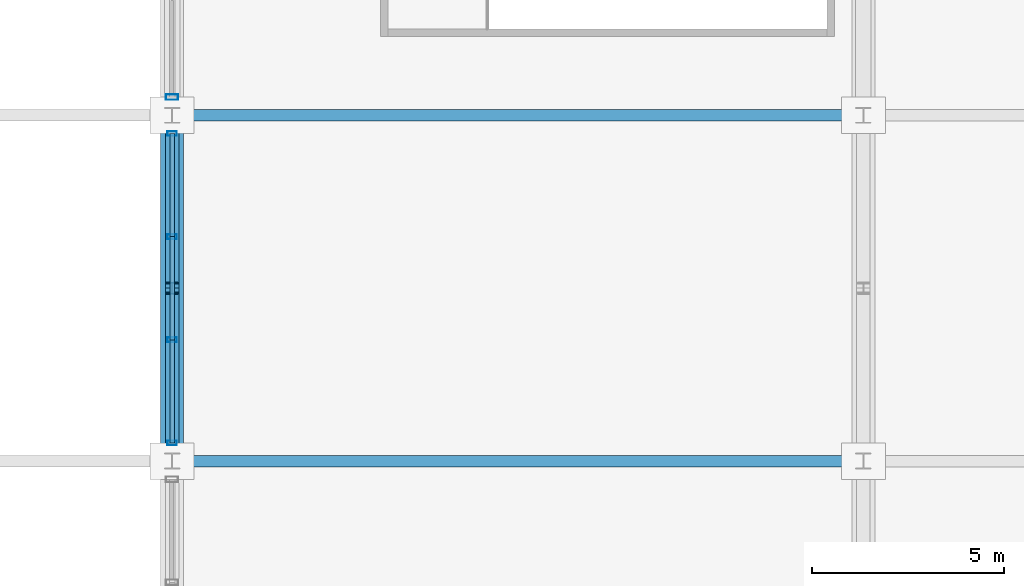
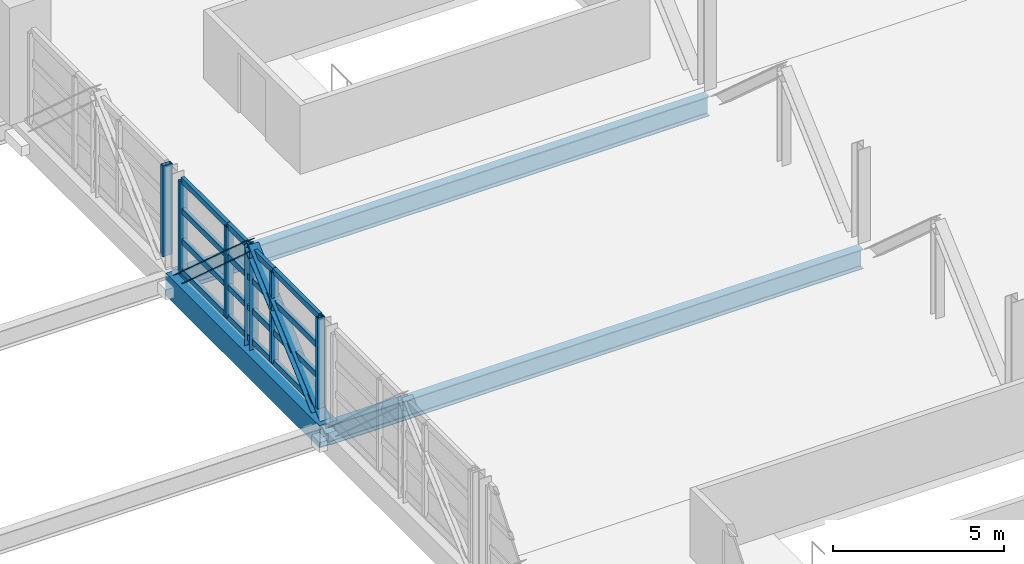
# One storey, part 27 of 136: 20 members, 3 beams, 2 elements without a shape of their own.
"""IFC4 building model written with IfcOpenShell, lengths in metres."""

import ifcopenshell
import ifcopenshell.guid

model = None  # the IFC model being written
_history = None  # IfcOwnerHistory: only IFC2X3 demands one
_inside = {}  # id of a spatial element -> (the spatial element, [elements in it])
_under = {}  # id of a project, library or spatial element -> (it, [spatial elements below it])
_declared = {}  # id of a project -> (the project, [libraries it declares])
_typed = {}  # id of a type object -> (the type object, [elements of that type])
_made_of = {}  # id of a material, layer set ... -> (it, [elements and type objects made of it])


def new_model(schema):
    """Start an empty IFC model of exactly this schema.

    Asked for "IFC4X3", IfcOpenShell would pick the latest addendum, in which some entities
    have other attributes; the version numbers below select the first issue.
    IFC2X3 requires an IfcOwnerHistory on every rooted entity: one is made here for all.
    """
    global model, _history
    if schema == "IFC4X3":
        model = ifcopenshell.file(schema_version=(4, 3, 0, 0))
    else:
        model = ifcopenshell.file(schema=schema)
    _inside.clear()
    _under.clear()
    _declared.clear()
    _typed.clear()
    _made_of.clear()
    _history = None
    if model.schema == "IFC2X3":
        org = make("IfcOrganization", Name="unknown")
        user = make(
            "IfcPersonAndOrganization",
            ThePerson=make("IfcPerson", FamilyName="unknown"),
            TheOrganization=org,
        )
        app = make(
            "IfcApplication",
            ApplicationDeveloper=org,
            Version="unknown",
            ApplicationFullName="unknown",
            ApplicationIdentifier="unknown",
        )
        _history = make(
            "IfcOwnerHistory",
            OwningUser=user,
            OwningApplication=app,
            ChangeAction="ADDED",
            CreationDate=0,
        )
    return model


def make(cls, **values):
    """One entity of the class cls with the attributes given. An attribute that is None is left unset."""
    return model.create_entity(
        cls, **{name: value for name, value in values.items() if value is not None}
    )


def rooted(cls, **values):
    """An entity with a GlobalId (a new one), such as an element, a storey or a relation."""
    return make(cls, GlobalId=ifcopenshell.guid.new(), OwnerHistory=_history, **values)


def si_unit(unit_type, name, prefix=None):
    """IfcSIUnit, for example si_unit("LENGTHUNIT", "METRE", prefix="MILLI")."""
    return make("IfcSIUnit", UnitType=unit_type, Prefix=prefix, Name=name)


def assignment(units):
    """IfcUnitAssignment: the units of a project."""
    return None if units is None else make("IfcUnitAssignment", Units=units)


def point(xyz):
    """IfcCartesianPoint."""
    return None if xyz is None else make("IfcCartesianPoint", Coordinates=xyz)


def direction(xyz):
    """IfcDirection."""
    return None if xyz is None else make("IfcDirection", DirectionRatios=xyz)


def frame(location, z_axis=None, x_axis=None):
    """IfcAxis2Placement3D, a coordinate frame: its origin and axes. An axis left out is left unset."""
    return make(
        "IfcAxis2Placement3D",
        Location=point(location),
        Axis=direction(z_axis),
        RefDirection=direction(x_axis),
    )


def frame_2d(location, x_axis=None):
    """IfcAxis2Placement2D, a coordinate frame in the plane: its origin and x axis."""
    return make(
        "IfcAxis2Placement2D", Location=point(location), RefDirection=direction(x_axis)
    )


def origin():
    """The frame at (0, 0, 0) with its axes left unset."""
    return frame((0.0, 0.0, 0.0))


def origin_2d():
    """The frame at (0, 0) in the plane with its x axis left unset."""
    return frame_2d((0.0, 0.0))


def place(relative_to, where):
    """IfcLocalPlacement: puts the frame where relative to a parent placement (None: the world)."""
    return make(
        "IfcLocalPlacement", PlacementRelTo=relative_to, RelativePlacement=where
    )


def context(
    kind, dimensions, precision=None, world=None, true_north=None, identifier=None
):
    """IfcGeometricRepresentationContext, for example the 3D "Model" context."""
    return make(
        "IfcGeometricRepresentationContext",
        ContextIdentifier=identifier,
        ContextType=kind,
        CoordinateSpaceDimension=dimensions,
        Precision=precision,
        WorldCoordinateSystem=world,
        TrueNorth=true_north,
    )


def subcontext(parent, identifier, kind, view, scale=None):
    """IfcGeometricRepresentationSubContext, for example "Body" below "Model"."""
    return make(
        "IfcGeometricRepresentationSubContext",
        ContextIdentifier=identifier,
        ContextType=kind,
        ParentContext=parent,
        TargetScale=scale,
        TargetView=view,
    )


def project(units=None, contexts=None):
    """IfcProject with its units and contexts."""
    return rooted(
        "IfcProject",
        Name="project",
        RepresentationContexts=contexts,
        UnitsInContext=assignment(units),
    )


def spatial(cls, under=None, at=None, **own):
    """A site, building, storey or space (cls), placed at a placement, below another one or the project."""
    s = rooted(cls, ObjectPlacement=at, **own)
    if under is not None:
        _under.setdefault(under.id(), (under, []))[1].append(s)
    return s


def profile(cls, at=None, kind="AREA", **sizes):
    """A parametric profile (cls). Its sizes go by their IFC names, for example OverallWidth=200.0."""
    return make(cls, ProfileType=kind, Position=at, **sizes)


def hollow_rectangle(**sizes):
    """IfcRectangleHollowProfileDef."""
    return profile("IfcRectangleHollowProfileDef", **sizes)


def i_section(**sizes):
    """IfcIShapeProfileDef."""
    return profile("IfcIShapeProfileDef", **sizes)


def extrude(swept, where, along, depth):
    """IfcExtrudedAreaSolid: the profile swept, set in the frame where, extruded along a direction by depth."""
    return make(
        "IfcExtrudedAreaSolid",
        SweptArea=swept,
        Position=where,
        ExtrudedDirection=direction(along),
        Depth=depth,
    )


def shape(context_of_items, identifier, shape_type, items):
    """IfcShapeRepresentation: the items that make up one representation, for example the "Body"."""
    return make(
        "IfcShapeRepresentation",
        ContextOfItems=context_of_items,
        RepresentationIdentifier=identifier,
        RepresentationType=shape_type,
        Items=items,
    )


def material(Name=None, Category=None):
    """IfcMaterial."""
    return make("IfcMaterial", Name=Name, Category=Category)


def material_profile(
    of_material, cross_section, Name=None, Category=None, Priority=None
):
    """IfcMaterialProfile: a cross section and its material."""
    return make(
        "IfcMaterialProfile",
        Name=Name,
        Material=of_material,
        Profile=cross_section,
        Priority=Priority,
        Category=Category,
    )


def profile_set(profiles, Name=None, composite=None):
    """IfcMaterialProfileSet."""
    return make(
        "IfcMaterialProfileSet",
        Name=Name,
        MaterialProfiles=profiles,
        CompositeProfile=composite,
    )


def made_of(thing, what):
    """Note that an element or type object is made of a material, layer set ...; save() writes the relation."""
    if what is not None:
        _made_of.setdefault(what.id(), (what, []))[1].append(thing)
    return thing


def type_object(cls, material=None, **own):
    """A type object (cls), such as IfcWallType, which elements share."""
    return made_of(rooted(cls, **own), material)


def element(
    cls,
    number,
    at=None,
    inside=None,
    cuts=None,
    type_object=None,
    material=None,
    context=None,
    identifier="Body",
    shape_type=None,
    held_by="IfcProductDefinitionShape",
    body=None,
    shapes=None,
    **own,
):
    """One element of the class cls, such as IfcWall. Its Tag is "e" and its number.

    at: its placement. inside: the storey or other place that contains it. cuts: it is an
    opening in that element (IfcRelVoidsElement). A single representation is given by context,
    identifier, shape_type and body (its items); several are given by shapes. held_by: the class
    of the entity that holds the representations. save() writes the other relations.
    """
    e = rooted(cls, Tag="e%d" % number, ObjectPlacement=at, **own)
    if body is not None:
        shapes = [shape(context, identifier, shape_type, body)]
    if shapes is not None:
        e.Representation = make(held_by, Representations=shapes)
    if inside is not None:
        _inside.setdefault(inside.id(), (inside, []))[1].append(e)
    if cuts is not None:
        rooted(
            "IfcRelVoidsElement", RelatingBuildingElement=cuts, RelatedOpeningElement=e
        )
    if type_object is not None:
        _typed.setdefault(type_object.id(), (type_object, []))[1].append(e)
    return made_of(e, material)


def aggregate(whole, parts):
    """IfcRelAggregates: a whole, such as a stair, and the parts it consists of."""
    return rooted("IfcRelAggregates", RelatingObject=whole, RelatedObjects=parts)


def save(model, path):
    """Write the relations noted so far, then the file.

    IfcRelAggregates (storeys below a building ...), IfcRelContainedInSpatialStructure (elements
    in a storey), IfcRelDefinesByType, IfcRelAssociatesMaterial and IfcRelDeclares: one each for
    every whole, place, type object, material and project.
    """
    for whole, parts in _under.values():
        aggregate(whole, parts)
    for where, things in _inside.values():
        rooted(
            "IfcRelContainedInSpatialStructure",
            RelatedElements=things,
            RelatingStructure=where,
        )
    for kind, things in _typed.values():
        rooted("IfcRelDefinesByType", RelatedObjects=things, RelatingType=kind)
    for what, things in _made_of.values():
        rooted("IfcRelAssociatesMaterial", RelatedObjects=things, RelatingMaterial=what)
    for by, libraries in _declared.values():
        rooted("IfcRelDeclares", RelatingContext=by, RelatedDefinitions=libraries)
    model.write(path)


model = new_model("IFC4")

# Units and contexts
model_context = context("Model", 3, precision=1e-05, world=origin(), true_north=direction((0.0, 1.0)))
body_context = subcontext(model_context, "Body", "Model", "MODEL_VIEW")
ifc_project = project(units=[si_unit("LENGTHUNIT", "METRE"), si_unit("AREAUNIT", "SQUARE_METRE"), si_unit("VOLUMEUNIT", "CUBIC_METRE"), si_unit("PLANEANGLEUNIT", "RADIAN"), si_unit("MASSUNIT", "GRAM", prefix="KILO")], contexts=[model_context])

# Site, building, storey
site_placement = place(None, origin())
site = spatial("IfcSite", under=ifc_project, at=site_placement, CompositionType="ELEMENT")
building_placement = place(site_placement, origin())
building = spatial("IfcBuilding", under=site, at=building_placement, Name="Chuanluo Vaults Station", CompositionType="ELEMENT")
storey_placement = place(building_placement, frame((0.0, 0.0, 6.60009765625)))
storey = spatial("IfcBuildingStorey", under=building, at=storey_placement, Name="L01", CompositionType="ELEMENT", Elevation=6.60009765625)

# Beams
ifc_material_1 = material(Name="Steel Q355C", Category="steel")
ifc_material_profile_1 = material_profile(ifc_material_1, i_section(OverallWidth=0.300048828125, OverallDepth=0.699951171875, WebThickness=0.012939453125, FlangeThickness=0.02392578125, FilletRadius=0.02197265625, at=origin_2d()))
ifc_profile_set_1 = profile_set([ifc_material_profile_1], Name="Steel Q355C")
beam_type_1 = type_object("IfcBeamType", Name="BM-GRD-700", PredefinedType="USERDEFINED", material=ifc_profile_set_1)
for number, where, z_axis, x_axis, name in (
    (1, (18.0, 85.5, -0.630126953125), (1.0, 0.0, 0.0), (0.0, 1.0, 0.0), "Over-track concourse floor girder 2-85"),
    (2, (18.0, 94.5, -0.630126953125), (1.0, 0.0, 0.0), (0.0, 1.0, 0.0), "Over-track concourse floor girder 2-94"),
):
    element("IfcBeam", number, at=place(storey_placement, frame(where, z_axis=z_axis, x_axis=x_axis)), inside=storey, type_object=beam_type_1, Name=name, ObjectType="GIRDER", PredefinedType="USERDEFINED", context=body_context, shape_type="SweptSolid", body=[
        extrude(i_section(OverallWidth=0.300048828125, OverallDepth=0.699951171875, WebThickness=0.012939453125, FlangeThickness=0.02392578125, FilletRadius=0.02197265625, at=origin_2d()), origin(), (0.0, 0.0, 1.0), 18.0),
    ])
ifc_material_2 = material(Name="Steel Q390C", Category="steel")
ifc_material_profile_2 = material_profile(ifc_material_2, hollow_rectangle(XDim=0.60009765625, YDim=0.800048828125, WallThickness=0.031982421875, at=origin_2d()))
ifc_profile_set_2 = profile_set([ifc_material_profile_2], Name="Steel Q390C")
beam_type_2 = type_object("IfcBeamType", Name="BM-TT-BOT", PredefinedType="USERDEFINED", material=ifc_profile_set_2)
beam_placement = place(storey_placement, frame((18.0, 85.5, -0.68017578125), z_axis=(0.0, 1.0, 0.0), x_axis=(-1.0, 0.0, 0.0)))
element("IfcBeam", 3, at=beam_placement, inside=storey, type_object=beam_type_2, Name="Transfer truss TT-2 bottom chord 3", ObjectType="GIRDER", PredefinedType="USERDEFINED", context=body_context, shape_type="SweptSolid", body=[
    extrude(hollow_rectangle(XDim=0.60009765625, YDim=0.800048828125, WallThickness=0.031982421875, at=origin_2d()), origin(), (0.0, 0.0, 1.0), 9.0),
])

# Curtain wall, members
ifc_material_3 = material(Name="Anodised aluminium 6063-T6", Category="aluminium")
curtain_wall_type_1 = type_object("IfcCurtainWallType", Name="CW-SYS-27", PredefinedType="NOTDEFINED", material=ifc_material_3)
curtain_wall_1_placement = place(storey_placement, origin())
curtain_wall_1 = element("IfcCurtainWall", 4, at=curtain_wall_1_placement, inside=storey, type_object=curtain_wall_type_1, Name="Over-track west hall CW 85", PredefinedType="NOTDEFINED")
ifc_material_4 = material(Name="Anodised aluminium 6063-T6", Category="aluminium")
ifc_material_profile_3 = material_profile(ifc_material_4, hollow_rectangle(XDim=0.1201171875, YDim=0.25, WallThickness=0.006103515625, at=origin_2d()))
ifc_profile_set_3 = profile_set([ifc_material_profile_3], Name="Anodised aluminium 6063-T6")
member_type_1 = type_object("IfcMemberType", Name="CWM-160", PredefinedType="MULLION", material=ifc_profile_set_3)
member_1_placement = place(storey_placement, frame((18.0, 85.97509765625, 0.0), z_axis=(0.0, 0.0, 1.0), x_axis=(0.0, 1.0, 0.0)))
member_1 = element("IfcMember", 5, at=member_1_placement, type_object=member_type_1, Name="Over-track west hall CW 85 mullion 1", PredefinedType="MULLION", context=body_context, shape_type="SweptSolid", body=[
    extrude(hollow_rectangle(XDim=0.1201171875, YDim=0.25, WallThickness=0.006103515625, at=origin_2d()), origin(), (0.0, 0.0, 1.0), 3.25),
])
member_2_placement = place(storey_placement, frame((18.0, 88.658203125, 0.0), z_axis=(0.0, 0.0, 1.0), x_axis=(0.0, 1.0, 0.0)))
member_2 = element("IfcMember", 6, at=member_2_placement, type_object=member_type_1, Name="Over-track west hall CW 85 mullion 2", PredefinedType="MULLION", context=body_context, shape_type="SweptSolid", body=[
    extrude(hollow_rectangle(XDim=0.1201171875, YDim=0.25, WallThickness=0.006103515625, at=origin_2d()), origin(), (0.0, 0.0, 1.0), 3.25),
])
member_3_placement = place(storey_placement, frame((18.0, 91.341796875, 0.0), z_axis=(0.0, 0.0, 1.0), x_axis=(0.0, 1.0, 0.0)))
member_3 = element("IfcMember", 7, at=member_3_placement, type_object=member_type_1, Name="Over-track west hall CW 85 mullion 3", PredefinedType="MULLION", context=body_context, shape_type="SweptSolid", body=[
    extrude(hollow_rectangle(XDim=0.1201171875, YDim=0.25, WallThickness=0.006103515625, at=origin_2d()), origin(), (0.0, 0.0, 1.0), 3.25),
])
member_4_placement = place(storey_placement, frame((18.0, 94.02490234375, 0.0), z_axis=(0.0, 0.0, 1.0), x_axis=(0.0, 1.0, 0.0)))
member_4 = element("IfcMember", 8, at=member_4_placement, type_object=member_type_1, Name="Over-track west hall CW 85 mullion 4", PredefinedType="MULLION", context=body_context, shape_type="SweptSolid", body=[
    extrude(hollow_rectangle(XDim=0.1201171875, YDim=0.25, WallThickness=0.006103515625, at=origin_2d()), origin(), (0.0, 0.0, 1.0), 3.25),
])

# Curtain wall, member
ifc_material_5 = material(Name="Anodised aluminium 6063-T6", Category="aluminium")
curtain_wall_type_2 = type_object("IfcCurtainWallType", Name="CW-SYS-01", PredefinedType="NOTDEFINED", material=ifc_material_5)
curtain_wall_2_placement = place(storey_placement, origin())
curtain_wall_2 = element("IfcCurtainWall", 9, at=curtain_wall_2_placement, inside=storey, type_object=curtain_wall_type_2, Name="Over-track west hall CW 94", PredefinedType="NOTDEFINED")
ifc_material_6 = material(Name="Anodised aluminium 6063-T6", Category="aluminium")
ifc_material_profile_4 = material_profile(ifc_material_6, hollow_rectangle(XDim=0.139892578125, YDim=0.320068359375, WallThickness=0.008056640625, at=origin_2d()))
ifc_profile_set_4 = profile_set([ifc_material_profile_4], Name="Anodised aluminium 6063-T6")
member_type_2 = type_object("IfcMemberType", Name="CWM-220", PredefinedType="MULLION", material=ifc_profile_set_4)
member_5_placement = place(storey_placement, frame((18.0, 94.97509765625, 0.0), z_axis=(0.0, 0.0, 1.0), x_axis=(0.0, 1.0, 0.0)))
member_5 = element("IfcMember", 10, at=member_5_placement, type_object=member_type_2, Name="Over-track west hall CW 94 mullion 1", PredefinedType="MULLION", context=body_context, shape_type="SweptSolid", body=[
    extrude(hollow_rectangle(XDim=0.139892578125, YDim=0.320068359375, WallThickness=0.008056640625, at=origin_2d()), origin(), (0.0, 0.0, 1.0), 3.25),
])
aggregate(curtain_wall_2, [member_5])

# Member
ifc_material_7 = material(Name="Anodised aluminium 6063-T6", Category="aluminium")
ifc_material_profile_5 = material_profile(ifc_material_7, hollow_rectangle(XDim=0.1201171875, YDim=0.205078125, WallThickness=0.006103515625, at=origin_2d()))
ifc_profile_set_5 = profile_set([ifc_material_profile_5], Name="Anodised aluminium 6063-T6")
member_type_3 = type_object("IfcMemberType", Name="CWT-130", PredefinedType="USERDEFINED", material=ifc_profile_set_5)
member_6_placement = place(storey_placement, frame((18.0, 85.97509765625, 0.0), z_axis=(0.0, 1.0, 0.0), x_axis=(-1.0, 0.0, 0.0)))
member_6 = element("IfcMember", 11, at=member_6_placement, type_object=member_type_3, Name="Over-track west hall CW 85 transom 1.1", ObjectType="TRANSOM", PredefinedType="USERDEFINED", context=body_context, shape_type="SweptSolid", body=[
    extrude(hollow_rectangle(XDim=0.1201171875, YDim=0.205078125, WallThickness=0.006103515625, at=origin_2d()), origin(), (0.0, 0.0, 1.0), 2.68310546875),
])

member_7_placement = place(storey_placement, frame((18.0, 85.97509765625, 1.083251953125), z_axis=(0.0, 1.0, 0.0), x_axis=(-1.0, 0.0, 0.0)))
member_7 = element("IfcMember", 12, at=member_7_placement, type_object=member_type_3, Name="Over-track west hall CW 85 transom 1.2", ObjectType="TRANSOM", PredefinedType="USERDEFINED", context=body_context, shape_type="SweptSolid", body=[
    extrude(hollow_rectangle(XDim=0.1201171875, YDim=0.205078125, WallThickness=0.006103515625, at=origin_2d()), origin(), (0.0, 0.0, 1.0), 2.68310546875),
])

member_8_placement = place(storey_placement, frame((18.0, 85.97509765625, 2.16650390625), z_axis=(0.0, 1.0, 0.0), x_axis=(-1.0, 0.0, 0.0)))
member_8 = element("IfcMember", 13, at=member_8_placement, type_object=member_type_3, Name="Over-track west hall CW 85 transom 1.3", ObjectType="TRANSOM", PredefinedType="USERDEFINED", context=body_context, shape_type="SweptSolid", body=[
    extrude(hollow_rectangle(XDim=0.1201171875, YDim=0.205078125, WallThickness=0.006103515625, at=origin_2d()), origin(), (0.0, 0.0, 1.0), 2.68310546875),
])

member_9_placement = place(storey_placement, frame((18.0, 85.97509765625, 3.25), z_axis=(0.0, 1.0, 0.0), x_axis=(-1.0, 0.0, 0.0)))
member_9 = element("IfcMember", 14, at=member_9_placement, type_object=member_type_3, Name="Over-track west hall CW 85 transom 1.4", ObjectType="TRANSOM", PredefinedType="USERDEFINED", context=body_context, shape_type="SweptSolid", body=[
    extrude(hollow_rectangle(XDim=0.1201171875, YDim=0.205078125, WallThickness=0.006103515625, at=origin_2d()), origin(), (0.0, 0.0, 1.0), 2.68310546875),
])

member_10_placement = place(storey_placement, frame((18.0, 88.658203125, 0.0), z_axis=(0.0, 1.0, 0.0), x_axis=(-1.0, 0.0, 0.0)))
member_10 = element("IfcMember", 15, at=member_10_placement, type_object=member_type_3, Name="Over-track west hall CW 85 transom 2.1", ObjectType="TRANSOM", PredefinedType="USERDEFINED", context=body_context, shape_type="SweptSolid", body=[
    extrude(hollow_rectangle(XDim=0.1201171875, YDim=0.205078125, WallThickness=0.006103515625, at=origin_2d()), origin(), (0.0, 0.0, 1.0), 2.68359375),
])

member_11_placement = place(storey_placement, frame((18.0, 88.658203125, 1.083251953125), z_axis=(0.0, 1.0, 0.0), x_axis=(-1.0, 0.0, 0.0)))
member_11 = element("IfcMember", 16, at=member_11_placement, type_object=member_type_3, Name="Over-track west hall CW 85 transom 2.2", ObjectType="TRANSOM", PredefinedType="USERDEFINED", context=body_context, shape_type="SweptSolid", body=[
    extrude(hollow_rectangle(XDim=0.1201171875, YDim=0.205078125, WallThickness=0.006103515625, at=origin_2d()), origin(), (0.0, 0.0, 1.0), 2.68359375),
])

member_12_placement = place(storey_placement, frame((18.0, 88.658203125, 2.16650390625), z_axis=(0.0, 1.0, 0.0), x_axis=(-1.0, 0.0, 0.0)))
member_12 = element("IfcMember", 17, at=member_12_placement, type_object=member_type_3, Name="Over-track west hall CW 85 transom 2.3", ObjectType="TRANSOM", PredefinedType="USERDEFINED", context=body_context, shape_type="SweptSolid", body=[
    extrude(hollow_rectangle(XDim=0.1201171875, YDim=0.205078125, WallThickness=0.006103515625, at=origin_2d()), origin(), (0.0, 0.0, 1.0), 2.68359375),
])

member_13_placement = place(storey_placement, frame((18.0, 88.658203125, 3.25), z_axis=(0.0, 1.0, 0.0), x_axis=(-1.0, 0.0, 0.0)))
member_13 = element("IfcMember", 18, at=member_13_placement, type_object=member_type_3, Name="Over-track west hall CW 85 transom 2.4", ObjectType="TRANSOM", PredefinedType="USERDEFINED", context=body_context, shape_type="SweptSolid", body=[
    extrude(hollow_rectangle(XDim=0.1201171875, YDim=0.205078125, WallThickness=0.006103515625, at=origin_2d()), origin(), (0.0, 0.0, 1.0), 2.68359375),
])

member_14_placement = place(storey_placement, frame((18.0, 91.341796875, 0.0), z_axis=(0.0, 1.0, 0.0), x_axis=(-1.0, 0.0, 0.0)))
member_14 = element("IfcMember", 19, at=member_14_placement, type_object=member_type_3, Name="Over-track west hall CW 85 transom 3.1", ObjectType="TRANSOM", PredefinedType="USERDEFINED", context=body_context, shape_type="SweptSolid", body=[
    extrude(hollow_rectangle(XDim=0.1201171875, YDim=0.205078125, WallThickness=0.006103515625, at=origin_2d()), origin(), (0.0, 0.0, 1.0), 2.68310546875),
])

member_15_placement = place(storey_placement, frame((18.0, 91.341796875, 1.083251953125), z_axis=(0.0, 1.0, 0.0), x_axis=(-1.0, 0.0, 0.0)))
member_15 = element("IfcMember", 20, at=member_15_placement, type_object=member_type_3, Name="Over-track west hall CW 85 transom 3.2", ObjectType="TRANSOM", PredefinedType="USERDEFINED", context=body_context, shape_type="SweptSolid", body=[
    extrude(hollow_rectangle(XDim=0.1201171875, YDim=0.205078125, WallThickness=0.006103515625, at=origin_2d()), origin(), (0.0, 0.0, 1.0), 2.68310546875),
])

member_16_placement = place(storey_placement, frame((18.0, 91.341796875, 2.16650390625), z_axis=(0.0, 1.0, 0.0), x_axis=(-1.0, 0.0, 0.0)))
member_16 = element("IfcMember", 21, at=member_16_placement, type_object=member_type_3, Name="Over-track west hall CW 85 transom 3.3", ObjectType="TRANSOM", PredefinedType="USERDEFINED", context=body_context, shape_type="SweptSolid", body=[
    extrude(hollow_rectangle(XDim=0.1201171875, YDim=0.205078125, WallThickness=0.006103515625, at=origin_2d()), origin(), (0.0, 0.0, 1.0), 2.68310546875),
])

member_17_placement = place(storey_placement, frame((18.0, 91.341796875, 3.25), z_axis=(0.0, 1.0, 0.0), x_axis=(-1.0, 0.0, 0.0)))
member_17 = element("IfcMember", 22, at=member_17_placement, type_object=member_type_3, Name="Over-track west hall CW 85 transom 3.4", ObjectType="TRANSOM", PredefinedType="USERDEFINED", context=body_context, shape_type="SweptSolid", body=[
    extrude(hollow_rectangle(XDim=0.1201171875, YDim=0.205078125, WallThickness=0.006103515625, at=origin_2d()), origin(), (0.0, 0.0, 1.0), 2.68310546875),
])

aggregate(curtain_wall_1, [member_1, member_2, member_3, member_4, member_6, member_7, member_8, member_9, member_10, member_11, member_12, member_13, member_14, member_15, member_16, member_17])

# Members
ifc_material_8 = material(Name="Steel Q390C", Category="steel")
ifc_material_profile_6 = material_profile(ifc_material_8, i_section(OverallWidth=0.35009765625, OverallDepth=0.35009765625, WebThickness=0.011962890625, FlangeThickness=0.01904296875, FilletRadius=0.02001953125, at=origin_2d()))
ifc_profile_set_6 = profile_set([ifc_material_profile_6], Name="Steel Q390C")
member_type_4 = type_object("IfcMemberType", Name="MEM-DIAG-350", PredefinedType="BRACE", material=ifc_profile_set_6)
for number, where, z_axis, x_axis, name in (
    (23, (18.0, 85.5, -0.68017578125), (0.0, 0.744935757439, 0.667136205949), (-1.0, 0.0, 0.0), "Transfer truss TT-2 diagonal 3A"),
    (24, (18.0, 90.0, 3.349853515625), (0.0, 0.744935757439, -0.667136205949), (-1.0, 0.0, 0.0), "Transfer truss TT-2 diagonal 3B"),
):
    element("IfcMember", number, at=place(storey_placement, frame(where, z_axis=z_axis, x_axis=x_axis)), inside=storey, type_object=member_type_4, Name=name, PredefinedType="BRACE", context=body_context, shape_type="SweptSolid", body=[
        extrude(i_section(OverallWidth=0.35009765625, OverallDepth=0.35009765625, WebThickness=0.011962890625, FlangeThickness=0.01904296875, FilletRadius=0.02001953125, at=origin_2d()), origin(), (0.0, 0.0, 1.0), 6.040771484375),
    ])
ifc_material_9 = material(Name="Steel Q390C", Category="steel")
ifc_material_profile_7 = material_profile(ifc_material_9, i_section(OverallWidth=0.300048828125, OverallDepth=0.300048828125, WebThickness=0.010009765625, FlangeThickness=0.014892578125, FilletRadius=0.01806640625, at=origin_2d()))
ifc_profile_set_7 = profile_set([ifc_material_profile_7], Name="Steel Q390C")
member_type_5 = type_object("IfcMemberType", Name="MEM-VERT-300", PredefinedType="POST", material=ifc_profile_set_7)
member_18_placement = place(storey_placement, frame((18.0, 90.0, -0.68017578125), z_axis=(0.0, 0.0, 1.0), x_axis=(1.0, 0.0, 0.0)))
element("IfcMember", 25, at=member_18_placement, inside=storey, type_object=member_type_5, Name="Transfer truss TT-2 mid-panel hanger 3", PredefinedType="POST", context=body_context, shape_type="SweptSolid", body=[
    extrude(i_section(OverallWidth=0.300048828125, OverallDepth=0.300048828125, WebThickness=0.010009765625, FlangeThickness=0.014892578125, FilletRadius=0.01806640625, at=origin_2d()), origin(), (0.0, 0.0, 1.0), 4.030029296875),
])

save(model, "model.ifc")
